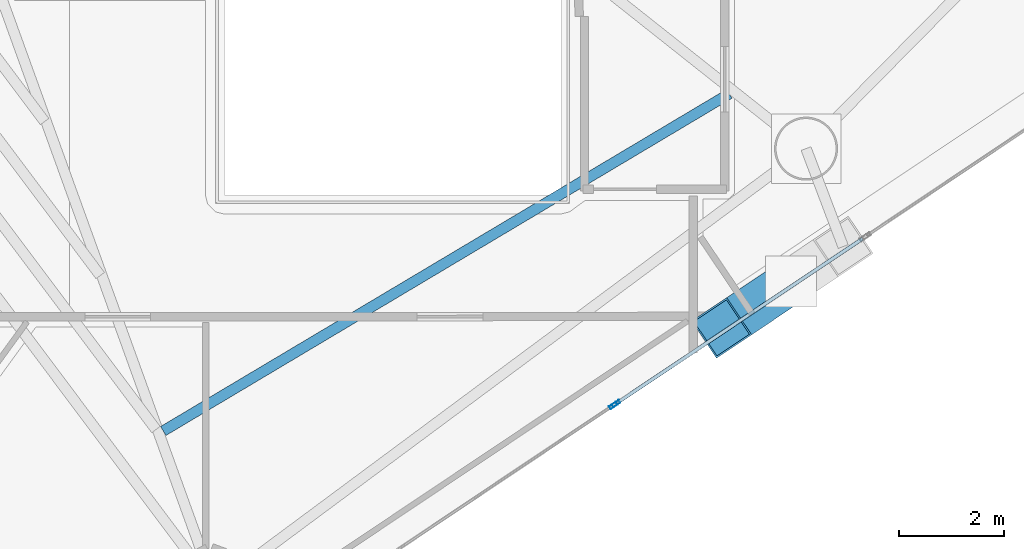
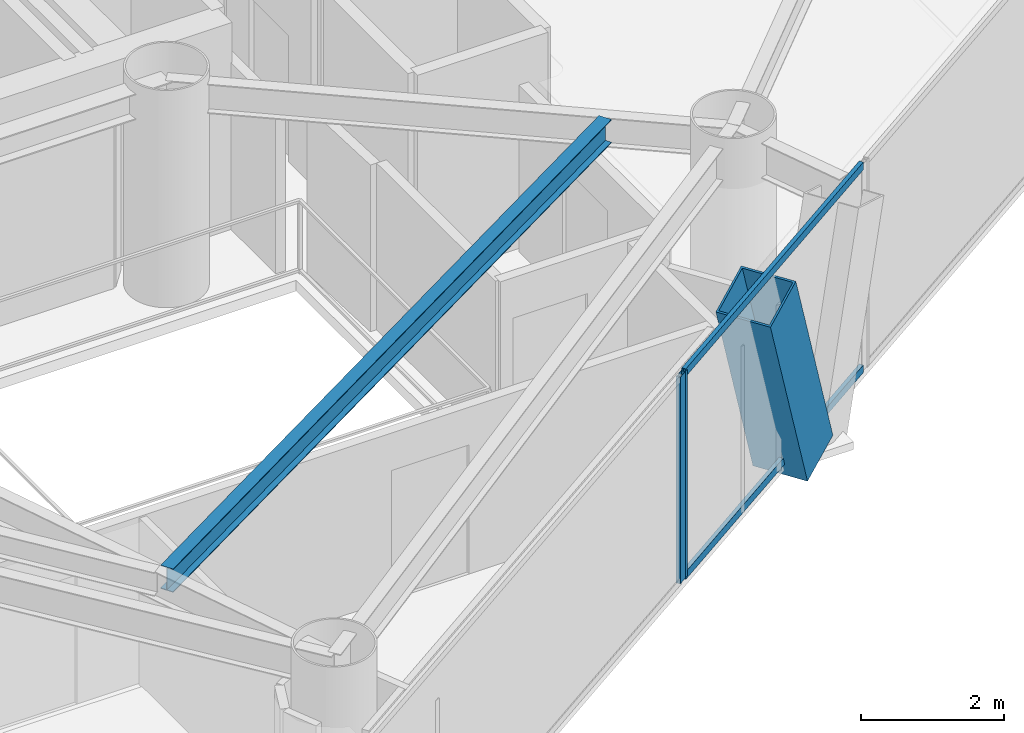
# One storey, part 4 of 21: 5 members, 1 beam, 2 elements without a shape of their own.
"""IFC4 building model written with IfcOpenShell, lengths in metres."""

from ifc_helpers import new_model, si_unit, direction, frame, origin, origin_2d, place, context, subcontext, project, spatial, hollow_rectangle, i_section, extrude, material, layer, layer_set, material_profile, profile_set, type_object, element, aggregate, save


model = new_model("IFC4")

# Units and contexts
model_context = context("Model", 3, precision=1e-05, world=origin(), true_north=direction((0.0, 1.0)))
body_context = subcontext(model_context, "Body", "Model", "MODEL_VIEW")
ifc_project = project(units=[si_unit("LENGTHUNIT", "METRE"), si_unit("AREAUNIT", "SQUARE_METRE"), si_unit("VOLUMEUNIT", "CUBIC_METRE"), si_unit("PLANEANGLEUNIT", "RADIAN"), si_unit("MASSUNIT", "GRAM", prefix="KILO")], contexts=[model_context])

# Site, building, storey
site_placement = place(None, origin())
site = spatial("IfcSite", under=ifc_project, at=site_placement, CompositionType="ELEMENT")
building_placement = place(site_placement, origin())
building = spatial("IfcBuilding", under=site, at=building_placement, Name="Qianvela Tower", CompositionType="ELEMENT")
storey_placement = place(building_placement, frame((0.0, 0.0, 189.199951171875)))
storey = spatial("IfcBuildingStorey", under=building, at=storey_placement, Name="L48", CompositionType="ELEMENT", Elevation=189.199951171875)

# Beam
ifc_material_1 = material(Name="Steel Q355B", Category="steel")
ifc_material_profile_1 = material_profile(ifc_material_1, i_section(OverallWidth=0.199951171875, OverallDepth=0.39990234375, WebThickness=0.008056640625, FlangeThickness=0.012939453125, at=origin_2d()), Name="HN400x200x8x13")
ifc_profile_set_1 = profile_set([ifc_material_profile_1], Name="Steel Q355B")
beam_type = type_object("IfcBeamType", Name="BM-HN400-JOIST", PredefinedType="JOIST", material=ifc_profile_set_1)
beam_placement = place(storey_placement, frame((32.4365234375, 13.51025390625, 3.318115234375), z_axis=(0.859083505932, 0.511835451914, 0.0), x_axis=(-0.511835451914, 0.859083505932, 0.0)))
element("IfcBeam", 1, at=beam_placement, inside=storey, type_object=beam_type, Name="L48 Secondary Composite Floor Joist 5.3", PredefinedType="JOIST", context=body_context, shape_type="SweptSolid", body=[
    extrude(i_section(OverallWidth=0.199951171875, OverallDepth=0.39990234375, WebThickness=0.008056640625, FlangeThickness=0.012939453125, at=origin_2d()), origin(), (0.0, 0.0, 1.0), 12.535888671875),
])

# Curtain wall, members
ifc_material_2 = material(Name="Anodised Architectural Aluminium and Insulated Spandrel Panel", Category="aluminium")
ifc_layer_1 = layer(ifc_material_2, 0.179931640625)
ifc_layer_set_1 = layer_set([ifc_layer_1], Name="Anodised Architectural Aluminium and Insulated Spandrel Panel")
curtain_wall_type_1 = type_object("IfcCurtainWallType", Name="CW-BRACEBAY", PredefinedType="USERDEFINED", material=ifc_layer_set_1)
curtain_wall_1_placement = place(storey_placement, origin())
curtain_wall_1 = element("IfcCurtainWall", 2, at=curtain_wall_1_placement, inside=storey, type_object=curtain_wall_type_1, Name="L48 CW-BRACEBAY Curtain Wall 06B", ObjectType="CURTAIN_WALL_SYSTEM", PredefinedType="USERDEFINED")
ifc_material_3 = material(Name="Anodised Architectural Aluminium 6063-T6", Category="aluminium")
ifc_material_profile_2 = material_profile(ifc_material_3, hollow_rectangle(XDim=0.06494140625, YDim=0.159912109375, WallThickness=0.0048828125, at=origin_2d()), Name="ALU-MULL-65x160")
ifc_profile_set_2 = profile_set([ifc_material_profile_2], Name="Anodised Architectural Aluminium 6063-T6")
member_type_1 = type_object("IfcMemberType", Name="CW-BRACEBAY-MULL", PredefinedType="MULLION", material=ifc_profile_set_2)
member_1_placement = place(storey_placement, frame((41.051025390625, 14.0302734375, 0.0), z_axis=(0.0, 0.0, 1.0), x_axis=(-0.556182826107, 0.831059964108, 0.0)))
member_1 = element("IfcMember", 3, at=member_1_placement, type_object=member_type_1, Name="CW-9 mullion 1", PredefinedType="MULLION", context=body_context, shape_type="SweptSolid", body=[
    extrude(hollow_rectangle(XDim=0.06494140625, YDim=0.159912109375, WallThickness=0.0048828125, at=origin_2d()), origin(), (0.0, 0.0, 1.0), 3.52001953125),
])
ifc_material_4 = material(Name="Anodised Architectural Aluminium 6063-T6", Category="aluminium")
ifc_material_profile_3 = material_profile(ifc_material_4, hollow_rectangle(XDim=0.06494140625, YDim=0.1298828125, WallThickness=0.00439453125, at=origin_2d()), Name="ALU-TRAN-65x130")
ifc_profile_set_3 = profile_set([ifc_material_profile_3], Name="Anodised Architectural Aluminium 6063-T6")
member_type_2 = type_object("IfcMemberType", Name="CW-BRACEBAY-TRAN", PredefinedType="USERDEFINED", material=ifc_profile_set_3)
member_2_placement = place(storey_placement, frame((41.078125, 14.04833984375, 0.032470703125), z_axis=(0.831051396628, 0.556195627601, 0.0), x_axis=(-0.556195627601, 0.831051396628, 0.0)))
member_2 = element("IfcMember", 4, at=member_2_placement, type_object=member_type_2, Name="CW-9 transom 1.1", ObjectType="TRANSOM", PredefinedType="USERDEFINED", context=body_context, shape_type="SweptSolid", body=[
    extrude(hollow_rectangle(XDim=0.06494140625, YDim=0.1298828125, WallThickness=0.00439453125, at=origin_2d()), origin(), (0.0, 0.0, 1.0), 5.610107421875),
])
member_3_placement = place(storey_placement, frame((41.078125, 14.04833984375, 3.487548828125), z_axis=(0.831051396628, 0.556195627601, 0.0), x_axis=(-0.556195627601, 0.831051396628, 0.0)))
member_3 = element("IfcMember", 5, at=member_3_placement, type_object=member_type_2, Name="CW-9 transom 1.2", ObjectType="TRANSOM", PredefinedType="USERDEFINED", context=body_context, shape_type="SweptSolid", body=[
    extrude(hollow_rectangle(XDim=0.06494140625, YDim=0.1298828125, WallThickness=0.00439453125, at=origin_2d()), origin(), (0.0, 0.0, 1.0), 5.610107421875),
])
aggregate(curtain_wall_1, [member_1, member_2, member_3])

# Curtain wall, member
ifc_material_5 = material(Name="Anodised Architectural Aluminium and Low-E Glass", Category="aluminium")
ifc_layer_2 = layer(ifc_material_5, 0.159912109375)
ifc_layer_set_2 = layer_set([ifc_layer_2], Name="Anodised Architectural Aluminium and Low-E Glass")
curtain_wall_type_2 = type_object("IfcCurtainWallType", Name="CW-COLIV-Z56", PredefinedType="USERDEFINED", material=ifc_layer_set_2)
curtain_wall_2_placement = place(storey_placement, origin())
curtain_wall_2 = element("IfcCurtainWall", 6, at=curtain_wall_2_placement, inside=storey, type_object=curtain_wall_type_2, Name="L48 CW-COLIV-Z56 Curtain Wall 06A", ObjectType="CURTAIN_WALL_SYSTEM", PredefinedType="USERDEFINED")
ifc_material_6 = material(Name="Anodised Architectural Aluminium 6063-T6", Category="aluminium")
ifc_material_profile_4 = material_profile(ifc_material_6, hollow_rectangle(XDim=0.06494140625, YDim=0.159912109375, WallThickness=0.0048828125, at=origin_2d()), Name="ALU-MULL-65x160")
ifc_profile_set_4 = profile_set([ifc_material_profile_4], Name="Anodised Architectural Aluminium 6063-T6")
member_type_3 = type_object("IfcMemberType", Name="CW-COLIV-Z56-MULL", PredefinedType="MULLION", material=ifc_profile_set_4)
member_4_placement = place(storey_placement, frame((40.9970703125, 13.994140625, 0.0), z_axis=(0.0, 0.0, 1.0), x_axis=(-0.556198152961, 0.831049706482, 0.0)))
member_4 = element("IfcMember", 7, at=member_4_placement, type_object=member_type_3, Name="CW-5 mullion 2", PredefinedType="MULLION", context=body_context, shape_type="SweptSolid", body=[
    extrude(hollow_rectangle(XDim=0.06494140625, YDim=0.159912109375, WallThickness=0.0048828125, at=origin_2d()), origin(), (0.0, 0.0, 1.0), 3.52001953125),
])
aggregate(curtain_wall_2, [member_4])

# Member
ifc_material_7 = material(Name="Steel Q420GJC", Category="steel")
ifc_material_profile_5 = material_profile(ifc_material_7, hollow_rectangle(XDim=0.85009765625, YDim=0.85009765625, WallThickness=0.031982421875, at=origin_2d()), Name="MBOX-850x850x32")
ifc_profile_set_5 = profile_set([ifc_material_profile_5], Name="Steel Q420GJC")
member_type_4 = type_object("IfcMemberType", Name="MBR-MBRACE-850", PredefinedType="BRACE", material=ifc_profile_set_5)
member_5_placement = place(storey_placement, frame((44.033935546875, 16.122802734375, -0.139892578125), z_axis=(-0.273647585617, -0.183095361475, 0.944242070389), x_axis=(0.55609482586, -0.831118851098, 0.0)))
element("IfcMember", 8, at=member_5_placement, inside=storey, type_object=member_type_4, Name="L48 Tier 8 Exterior Mega-Brace F3A", PredefinedType="BRACE", context=body_context, shape_type="SweptSolid", body=[
    extrude(hollow_rectangle(XDim=0.85009765625, YDim=0.85009765625, WallThickness=0.031982421875, at=origin_2d()), origin(), (0.0, 0.0, 1.0), 3.55615234375),
])

save(model, "model.ifc")
